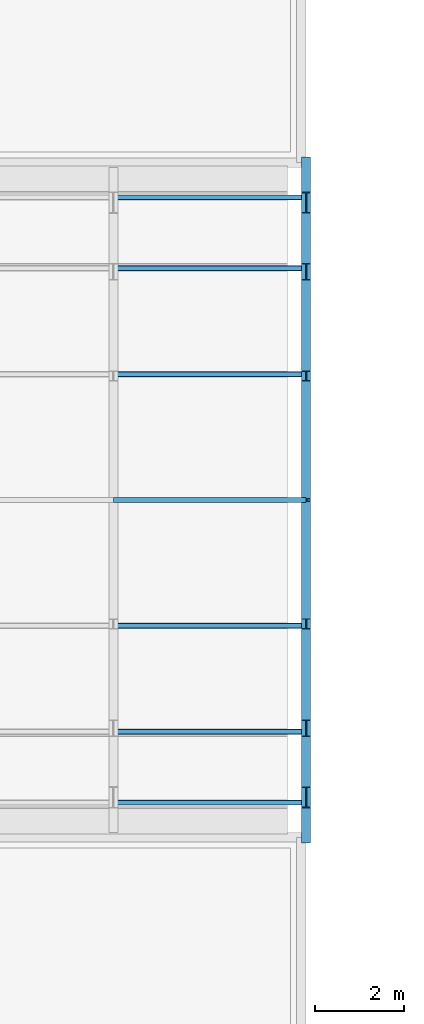
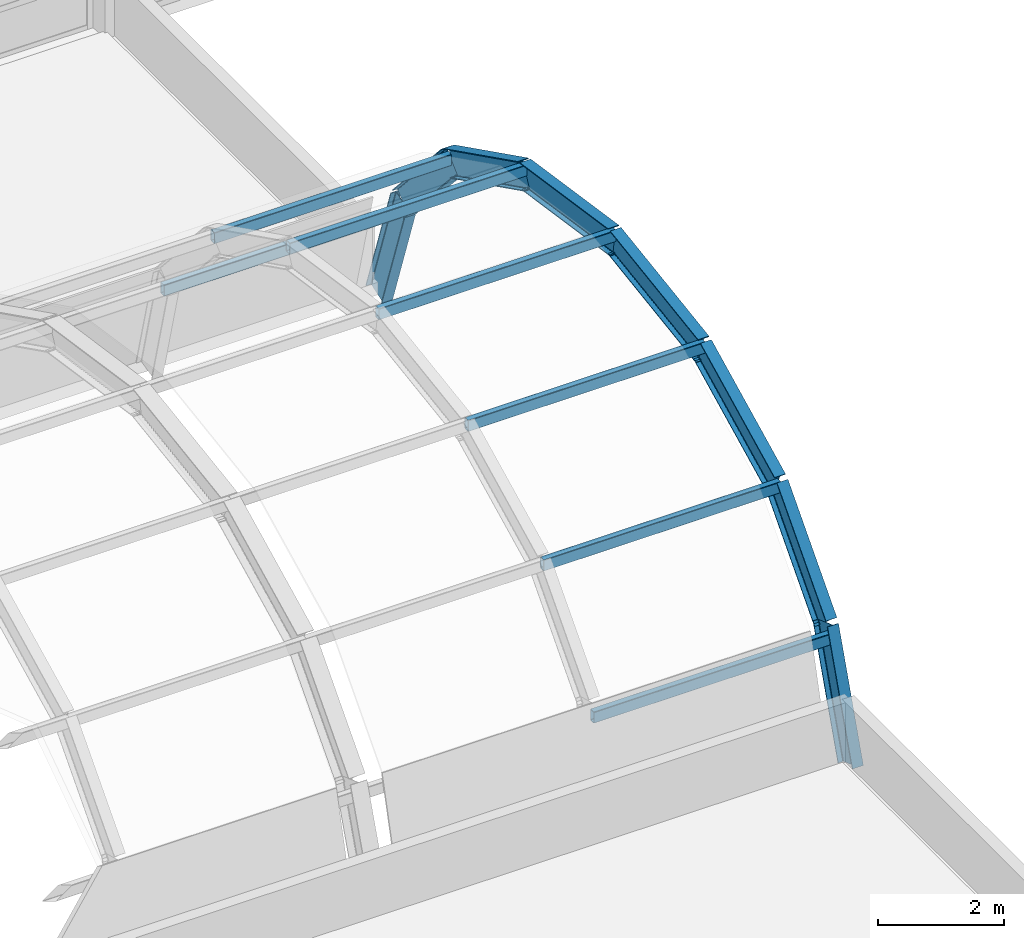
# One storey, part 80 of 124: 8 beams, 7 members.
"""IFC4 building model written with IfcOpenShell, lengths in metres."""

import ifcopenshell
import ifcopenshell.guid

model = None  # the IFC model being written
_history = None  # IfcOwnerHistory: only IFC2X3 demands one
_inside = {}  # id of a spatial element -> (the spatial element, [elements in it])
_under = {}  # id of a project, library or spatial element -> (it, [spatial elements below it])
_declared = {}  # id of a project -> (the project, [libraries it declares])
_typed = {}  # id of a type object -> (the type object, [elements of that type])
_made_of = {}  # id of a material, layer set ... -> (it, [elements and type objects made of it])


def new_model(schema):
    """Start an empty IFC model of exactly this schema.

    Asked for "IFC4X3", IfcOpenShell would pick the latest addendum, in which some entities
    have other attributes; the version numbers below select the first issue.
    IFC2X3 requires an IfcOwnerHistory on every rooted entity: one is made here for all.
    """
    global model, _history
    if schema == "IFC4X3":
        model = ifcopenshell.file(schema_version=(4, 3, 0, 0))
    else:
        model = ifcopenshell.file(schema=schema)
    _inside.clear()
    _under.clear()
    _declared.clear()
    _typed.clear()
    _made_of.clear()
    _history = None
    if model.schema == "IFC2X3":
        org = make("IfcOrganization", Name="unknown")
        user = make(
            "IfcPersonAndOrganization",
            ThePerson=make("IfcPerson", FamilyName="unknown"),
            TheOrganization=org,
        )
        app = make(
            "IfcApplication",
            ApplicationDeveloper=org,
            Version="unknown",
            ApplicationFullName="unknown",
            ApplicationIdentifier="unknown",
        )
        _history = make(
            "IfcOwnerHistory",
            OwningUser=user,
            OwningApplication=app,
            ChangeAction="ADDED",
            CreationDate=0,
        )
    return model


def make(cls, **values):
    """One entity of the class cls with the attributes given. An attribute that is None is left unset."""
    return model.create_entity(
        cls, **{name: value for name, value in values.items() if value is not None}
    )


def rooted(cls, **values):
    """An entity with a GlobalId (a new one), such as an element, a storey or a relation."""
    return make(cls, GlobalId=ifcopenshell.guid.new(), OwnerHistory=_history, **values)


def si_unit(unit_type, name, prefix=None):
    """IfcSIUnit, for example si_unit("LENGTHUNIT", "METRE", prefix="MILLI")."""
    return make("IfcSIUnit", UnitType=unit_type, Prefix=prefix, Name=name)


def derived_unit(unit_type, elements):
    """IfcDerivedUnit: a product of units, each with its exponent."""
    return make(
        "IfcDerivedUnit",
        Elements=[
            make("IfcDerivedUnitElement", Unit=unit, Exponent=power)
            for unit, power in elements
        ],
        UnitType=unit_type,
    )


def assignment(units):
    """IfcUnitAssignment: the units of a project."""
    return None if units is None else make("IfcUnitAssignment", Units=units)


def point(xyz):
    """IfcCartesianPoint."""
    return None if xyz is None else make("IfcCartesianPoint", Coordinates=xyz)


def direction(xyz):
    """IfcDirection."""
    return None if xyz is None else make("IfcDirection", DirectionRatios=xyz)


def frame(location, z_axis=None, x_axis=None):
    """IfcAxis2Placement3D, a coordinate frame: its origin and axes. An axis left out is left unset."""
    return make(
        "IfcAxis2Placement3D",
        Location=point(location),
        Axis=direction(z_axis),
        RefDirection=direction(x_axis),
    )


def frame_2d(location, x_axis=None):
    """IfcAxis2Placement2D, a coordinate frame in the plane: its origin and x axis."""
    return make(
        "IfcAxis2Placement2D", Location=point(location), RefDirection=direction(x_axis)
    )


def origin():
    """The frame at (0, 0, 0) with its axes left unset."""
    return frame((0.0, 0.0, 0.0))


def origin_2d():
    """The frame at (0, 0) in the plane with its x axis left unset."""
    return frame_2d((0.0, 0.0))


def place(relative_to, where):
    """IfcLocalPlacement: puts the frame where relative to a parent placement (None: the world)."""
    return make(
        "IfcLocalPlacement", PlacementRelTo=relative_to, RelativePlacement=where
    )


def context(
    kind, dimensions, precision=None, world=None, true_north=None, identifier=None
):
    """IfcGeometricRepresentationContext, for example the 3D "Model" context."""
    return make(
        "IfcGeometricRepresentationContext",
        ContextIdentifier=identifier,
        ContextType=kind,
        CoordinateSpaceDimension=dimensions,
        Precision=precision,
        WorldCoordinateSystem=world,
        TrueNorth=true_north,
    )


def subcontext(parent, identifier, kind, view, scale=None):
    """IfcGeometricRepresentationSubContext, for example "Body" below "Model"."""
    return make(
        "IfcGeometricRepresentationSubContext",
        ContextIdentifier=identifier,
        ContextType=kind,
        ParentContext=parent,
        TargetScale=scale,
        TargetView=view,
    )


def project(units=None, contexts=None):
    """IfcProject with its units and contexts."""
    return rooted(
        "IfcProject",
        Name="project",
        RepresentationContexts=contexts,
        UnitsInContext=assignment(units),
    )


def spatial(cls, under=None, at=None, **own):
    """A site, building, storey or space (cls), placed at a placement, below another one or the project."""
    s = rooted(cls, ObjectPlacement=at, **own)
    if under is not None:
        _under.setdefault(under.id(), (under, []))[1].append(s)
    return s


def profile(cls, at=None, kind="AREA", **sizes):
    """A parametric profile (cls). Its sizes go by their IFC names, for example OverallWidth=200.0."""
    return make(cls, ProfileType=kind, Position=at, **sizes)


def hollow_rectangle(**sizes):
    """IfcRectangleHollowProfileDef."""
    return profile("IfcRectangleHollowProfileDef", **sizes)


def i_section(**sizes):
    """IfcIShapeProfileDef."""
    return profile("IfcIShapeProfileDef", **sizes)


def extrude(swept, where, along, depth):
    """IfcExtrudedAreaSolid: the profile swept, set in the frame where, extruded along a direction by depth."""
    return make(
        "IfcExtrudedAreaSolid",
        SweptArea=swept,
        Position=where,
        ExtrudedDirection=direction(along),
        Depth=depth,
    )


def shape(context_of_items, identifier, shape_type, items):
    """IfcShapeRepresentation: the items that make up one representation, for example the "Body"."""
    return make(
        "IfcShapeRepresentation",
        ContextOfItems=context_of_items,
        RepresentationIdentifier=identifier,
        RepresentationType=shape_type,
        Items=items,
    )


def material(Name=None, Category=None):
    """IfcMaterial."""
    return make("IfcMaterial", Name=Name, Category=Category)


def material_profile(
    of_material, cross_section, Name=None, Category=None, Priority=None
):
    """IfcMaterialProfile: a cross section and its material."""
    return make(
        "IfcMaterialProfile",
        Name=Name,
        Material=of_material,
        Profile=cross_section,
        Priority=Priority,
        Category=Category,
    )


def profile_set(profiles, Name=None, composite=None):
    """IfcMaterialProfileSet."""
    return make(
        "IfcMaterialProfileSet",
        Name=Name,
        MaterialProfiles=profiles,
        CompositeProfile=composite,
    )


def made_of(thing, what):
    """Note that an element or type object is made of a material, layer set ...; save() writes the relation."""
    if what is not None:
        _made_of.setdefault(what.id(), (what, []))[1].append(thing)
    return thing


def type_object(cls, material=None, **own):
    """A type object (cls), such as IfcWallType, which elements share."""
    return made_of(rooted(cls, **own), material)


def element(
    cls,
    number,
    at=None,
    inside=None,
    cuts=None,
    type_object=None,
    material=None,
    context=None,
    identifier="Body",
    shape_type=None,
    held_by="IfcProductDefinitionShape",
    body=None,
    shapes=None,
    **own,
):
    """One element of the class cls, such as IfcWall. Its Tag is "e" and its number.

    at: its placement. inside: the storey or other place that contains it. cuts: it is an
    opening in that element (IfcRelVoidsElement). A single representation is given by context,
    identifier, shape_type and body (its items); several are given by shapes. held_by: the class
    of the entity that holds the representations. save() writes the other relations.
    """
    e = rooted(cls, Tag="e%d" % number, ObjectPlacement=at, **own)
    if body is not None:
        shapes = [shape(context, identifier, shape_type, body)]
    if shapes is not None:
        e.Representation = make(held_by, Representations=shapes)
    if inside is not None:
        _inside.setdefault(inside.id(), (inside, []))[1].append(e)
    if cuts is not None:
        rooted(
            "IfcRelVoidsElement", RelatingBuildingElement=cuts, RelatedOpeningElement=e
        )
    if type_object is not None:
        _typed.setdefault(type_object.id(), (type_object, []))[1].append(e)
    return made_of(e, material)


def aggregate(whole, parts):
    """IfcRelAggregates: a whole, such as a stair, and the parts it consists of."""
    return rooted("IfcRelAggregates", RelatingObject=whole, RelatedObjects=parts)


def save(model, path):
    """Write the relations noted so far, then the file.

    IfcRelAggregates (storeys below a building ...), IfcRelContainedInSpatialStructure (elements
    in a storey), IfcRelDefinesByType, IfcRelAssociatesMaterial and IfcRelDeclares: one each for
    every whole, place, type object, material and project.
    """
    for whole, parts in _under.values():
        aggregate(whole, parts)
    for where, things in _inside.values():
        rooted(
            "IfcRelContainedInSpatialStructure",
            RelatedElements=things,
            RelatingStructure=where,
        )
    for kind, things in _typed.values():
        rooted("IfcRelDefinesByType", RelatedObjects=things, RelatingType=kind)
    for what, things in _made_of.values():
        rooted("IfcRelAssociatesMaterial", RelatedObjects=things, RelatingMaterial=what)
    for by, libraries in _declared.values():
        rooted("IfcRelDeclares", RelatingContext=by, RelatedDefinitions=libraries)
    model.write(path)


model = new_model("IFC4")

# Units and contexts
model_context = context("Model", 3, precision=1e-05, world=origin(), true_north=direction((0.0, 1.0)))
body_context = subcontext(model_context, "Body", "Model", "MODEL_VIEW")
ifc_project = project(units=[si_unit("LENGTHUNIT", "METRE"), si_unit("AREAUNIT", "SQUARE_METRE"), si_unit("VOLUMEUNIT", "CUBIC_METRE"), si_unit("PLANEANGLEUNIT", "RADIAN"), si_unit("MASSUNIT", "GRAM", prefix="KILO"), derived_unit("THERMALTRANSMITTANCEUNIT", [(si_unit("MASSUNIT", "GRAM", prefix="KILO"), 1), (si_unit("TIMEUNIT", "SECOND"), -3), (si_unit("THERMODYNAMICTEMPERATUREUNIT", "KELVIN"), -1)])], contexts=[model_context])

# Site, building, storey
site_placement = place(None, origin())
site = spatial("IfcSite", under=ifc_project, at=site_placement, CompositionType="ELEMENT")
building_placement = place(site_placement, origin())
building = spatial("IfcBuilding", under=site, at=building_placement, Name="Qinzheling Arcade Emporium", CompositionType="ELEMENT")
storey_placement = place(building_placement, frame((0.0, 0.0, 16.5)))
storey = spatial("IfcBuildingStorey", under=building, at=storey_placement, Name="L04", CompositionType="ELEMENT", Elevation=16.5)

# Beams
ifc_material = material(Name="Weathering steel Q355NH", Category="steel")
ifc_material_profile_1 = material_profile(ifc_material, i_section(OverallWidth=0.199951171875, OverallDepth=0.5, WebThickness=0.010009765625, FlangeThickness=0.01611328125, FilletRadius=0.01806640625, at=origin_2d()), Name="HN 500x200x10x16", Category="steel")
ifc_profile_set_1 = profile_set([ifc_material_profile_1], Name="Weathering steel Q355NH")
beam_type = type_object("IfcBeamType", Name="Arcade End Arch Rib HN500 Q355NH", PredefinedType="BEAM", material=ifc_profile_set_1)
beam_1_placement = place(storey_placement, frame((130.5, 50.39990234375, -0.25), z_axis=(0.0, 0.328552089369, 0.94448585197), x_axis=(-1.0, 0.0, 0.0)))
element("IfcBeam", 1, at=beam_1_placement, inside=storey, type_object=beam_type, Name="Arcade Arch Rib VLT-ARCADE-RIB-04-S01", PredefinedType="BEAM", context=body_context, shape_type="SweptSolid", body=[
    extrude(i_section(OverallWidth=0.199951171875, OverallDepth=0.5, WebThickness=0.010009765625, FlangeThickness=0.01611328125, FilletRadius=0.01806640625, at=origin_2d()), origin(), (0.0, 0.0, 1.0), 2.407470703125),
])
beam_2_placement = place(storey_placement, frame((130.5, 51.19091796875, 2.02392578125), z_axis=(0.0, 0.667721005474, 0.744411619233), x_axis=(-1.0, 0.0, 0.0)))
element("IfcBeam", 2, at=beam_2_placement, inside=storey, type_object=beam_type, Name="Arcade Arch Rib VLT-ARCADE-RIB-04-S02", PredefinedType="BEAM", context=body_context, shape_type="SweptSolid", body=[
    extrude(i_section(OverallWidth=0.199951171875, OverallDepth=0.5, WebThickness=0.010009765625, FlangeThickness=0.01611328125, FilletRadius=0.01806640625, at=origin_2d()), origin(), (0.0, 0.0, 1.0), 2.33349609375),
])
beam_3_placement = place(storey_placement, frame((130.5, 52.7490234375, 3.760986328125), z_axis=(0.0, 0.89487186558, 0.44632313876), x_axis=(-1.0, 0.0, 0.0)))
element("IfcBeam", 3, at=beam_3_placement, inside=storey, type_object=beam_type, Name="Arcade Arch Rib VLT-ARCADE-RIB-04-S03", PredefinedType="BEAM", context=body_context, shape_type="SweptSolid", body=[
    extrude(i_section(OverallWidth=0.199951171875, OverallDepth=0.5, WebThickness=0.010009765625, FlangeThickness=0.01611328125, FilletRadius=0.01806640625, at=origin_2d()), origin(), (0.0, 0.0, 1.0), 2.6328125),
])
beam_4_placement = place(storey_placement, frame((130.5, 55.10498046875, 4.93603515625), z_axis=(0.0, 0.989203462354, 0.146548661089), x_axis=(-1.0, 0.0, 0.0)))
element("IfcBeam", 4, at=beam_4_placement, inside=storey, type_object=beam_type, Name="Arcade Arch Rib VLT-ARCADE-RIB-04-S04", PredefinedType="BEAM", context=body_context, shape_type="SweptSolid", body=[
    extrude(i_section(OverallWidth=0.199951171875, OverallDepth=0.5, WebThickness=0.010009765625, FlangeThickness=0.01611328125, FilletRadius=0.01806640625, at=origin_2d()), origin(), (0.0, 0.0, 1.0), 2.825439453125),
])
beam_5_placement = place(storey_placement, frame((130.5, 57.89990234375, 5.35009765625), z_axis=(0.0, 0.989205317867, -0.146536135829), x_axis=(-1.0, 0.0, 0.0)))
element("IfcBeam", 5, at=beam_5_placement, inside=storey, type_object=beam_type, Name="Arcade Arch Rib VLT-ARCADE-RIB-04-S05", PredefinedType="BEAM", context=body_context, shape_type="SweptSolid", body=[
    extrude(i_section(OverallWidth=0.199951171875, OverallDepth=0.5, WebThickness=0.010009765625, FlangeThickness=0.01611328125, FilletRadius=0.01806640625, at=origin_2d()), origin(), (0.0, 0.0, 1.0), 2.82568359375),
])
beam_6_placement = place(storey_placement, frame((130.5, 60.695068359375, 4.93603515625), z_axis=(0.0, 0.89487186558, -0.44632313876), x_axis=(-1.0, 0.0, 0.0)))
element("IfcBeam", 6, at=beam_6_placement, inside=storey, type_object=beam_type, Name="Arcade Arch Rib VLT-ARCADE-RIB-04-S06", PredefinedType="BEAM", context=body_context, shape_type="SweptSolid", body=[
    extrude(i_section(OverallWidth=0.199951171875, OverallDepth=0.5, WebThickness=0.010009765625, FlangeThickness=0.01611328125, FilletRadius=0.01806640625, at=origin_2d()), origin(), (0.0, 0.0, 1.0), 2.6328125),
])
beam_7_placement = place(storey_placement, frame((130.5, 63.051025390625, 3.760986328125), z_axis=(0.0, 0.667663021225, -0.744463625766), x_axis=(-1.0, 0.0, 0.0)))
element("IfcBeam", 7, at=beam_7_placement, inside=storey, type_object=beam_type, Name="Arcade Arch Rib VLT-ARCADE-RIB-04-S07", PredefinedType="BEAM", context=body_context, shape_type="SweptSolid", body=[
    extrude(i_section(OverallWidth=0.199951171875, OverallDepth=0.5, WebThickness=0.010009765625, FlangeThickness=0.01611328125, FilletRadius=0.01806640625, at=origin_2d()), origin(), (0.0, 0.0, 1.0), 2.333251953125),
])
beam_8_placement = place(storey_placement, frame((130.5, 64.60888671875, 2.02392578125), z_axis=(0.0, 0.328552089369, -0.94448585197), x_axis=(-1.0, 0.0, 0.0)))
element("IfcBeam", 8, at=beam_8_placement, inside=storey, type_object=beam_type, Name="Arcade Arch Rib VLT-ARCADE-RIB-04-S08", PredefinedType="BEAM", context=body_context, shape_type="SweptSolid", body=[
    extrude(i_section(OverallWidth=0.199951171875, OverallDepth=0.5, WebThickness=0.010009765625, FlangeThickness=0.01611328125, FilletRadius=0.01806640625, at=origin_2d()), origin(), (0.0, 0.0, 1.0), 2.407470703125),
])

# Members
ifc_material_profile_2 = material_profile(ifc_material, hollow_rectangle(XDim=0.1201171875, YDim=0.219970703125, WallThickness=0.008056640625, InnerFilletRadius=0.008056640625, OuterFilletRadius=0.01611328125, at=origin_2d()), Name="RHS 220x120x8", Category="steel")
ifc_profile_set_2 = profile_set([ifc_material_profile_2], Name="Weathering steel Q355NH")
member_type = type_object("IfcMemberType", Name="Arcade Skylight Purlin RHS220 Q355NH", PredefinedType="PURLIN", material=ifc_profile_set_2)
for number, where, z_axis, x_axis, name in (
    (9, (126.14990234375, 51.073974609375, 1.7958984375), (1.0, 0.0, 0.0), (0.0, 1.0, 0.0), "Arcade Skylight Purlin VLT-ARCADE-PUR-B03-N01-2"),
    (10, (126.14990234375, 52.66796875, 3.778076171875), (1.0, 0.0, 0.0), (0.0, 1.0, 0.0), "Arcade Skylight Purlin VLT-ARCADE-PUR-B03-N02-2"),
    (11, (126.14990234375, 55.06591796875, 5.031005859375), (1.0, 0.0, 0.0), (0.0, 1.0, 0.0), "Arcade Skylight Purlin VLT-ARCADE-PUR-B03-N03-2"),
    (12, (126.14990234375, 57.89990234375, 5.47802734375), (1.0, 0.0, 0.0), (0.0, 1.0, 0.0), "Arcade Skylight Purlin VLT-ARCADE-PUR-B03-N04-2"),
    (13, (126.14990234375, 60.73388671875, 5.031005859375), (1.0, 0.0, 0.0), (0.0, 1.0, 0.0), "Arcade Skylight Purlin VLT-ARCADE-PUR-B03-N05-2"),
    (14, (126.14990234375, 63.132080078125, 3.778076171875), (1.0, 0.0, 0.0), (0.0, 1.0, 0.0), "Arcade Skylight Purlin VLT-ARCADE-PUR-B03-N06-2"),
    (15, (126.14990234375, 64.72607421875, 1.7958984375), (1.0, 0.0, 0.0), (0.0, 1.0, 0.0), "Arcade Skylight Purlin VLT-ARCADE-PUR-B03-N07-2"),
):
    element("IfcMember", number, at=place(storey_placement, frame(where, z_axis=z_axis, x_axis=x_axis)), inside=storey, type_object=member_type, Name=name, PredefinedType="PURLIN", context=body_context, shape_type="SweptSolid", body=[
        extrude(hollow_rectangle(XDim=0.1201171875, YDim=0.219970703125, WallThickness=0.008056640625, InnerFilletRadius=0.008056640625, OuterFilletRadius=0.01611328125, at=origin_2d()), origin(), (0.0, 0.0, 1.0), 4.35009765625),
    ])

save(model, "model.ifc")
